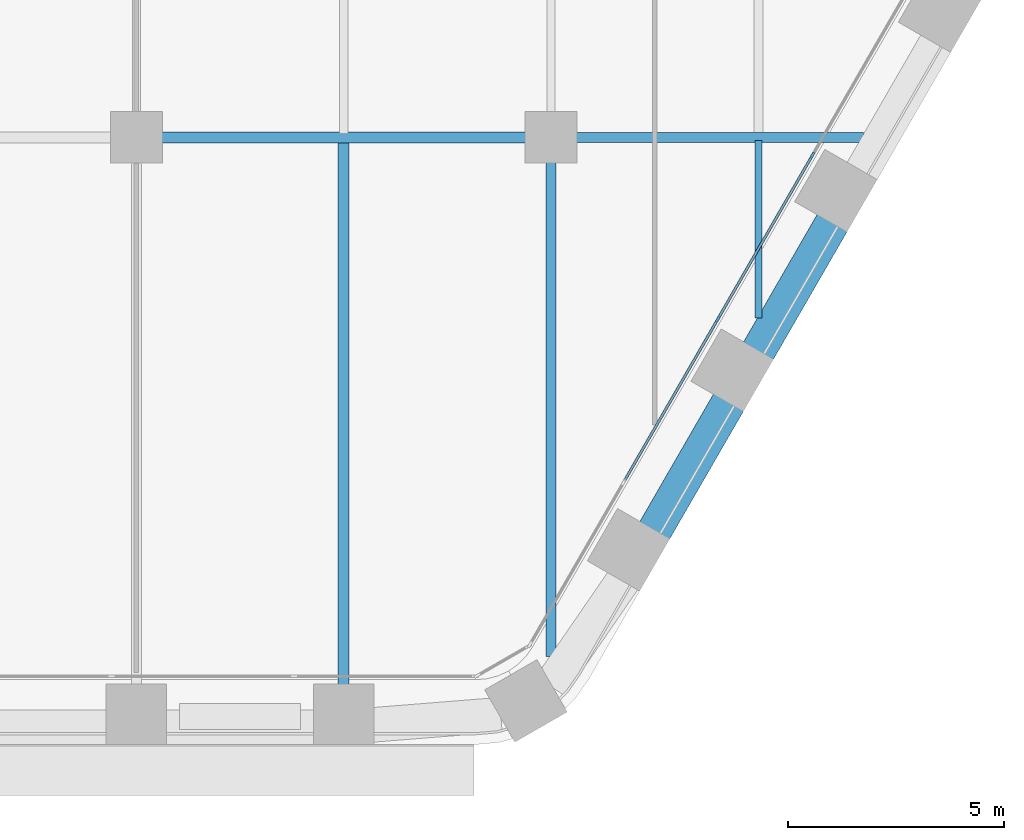
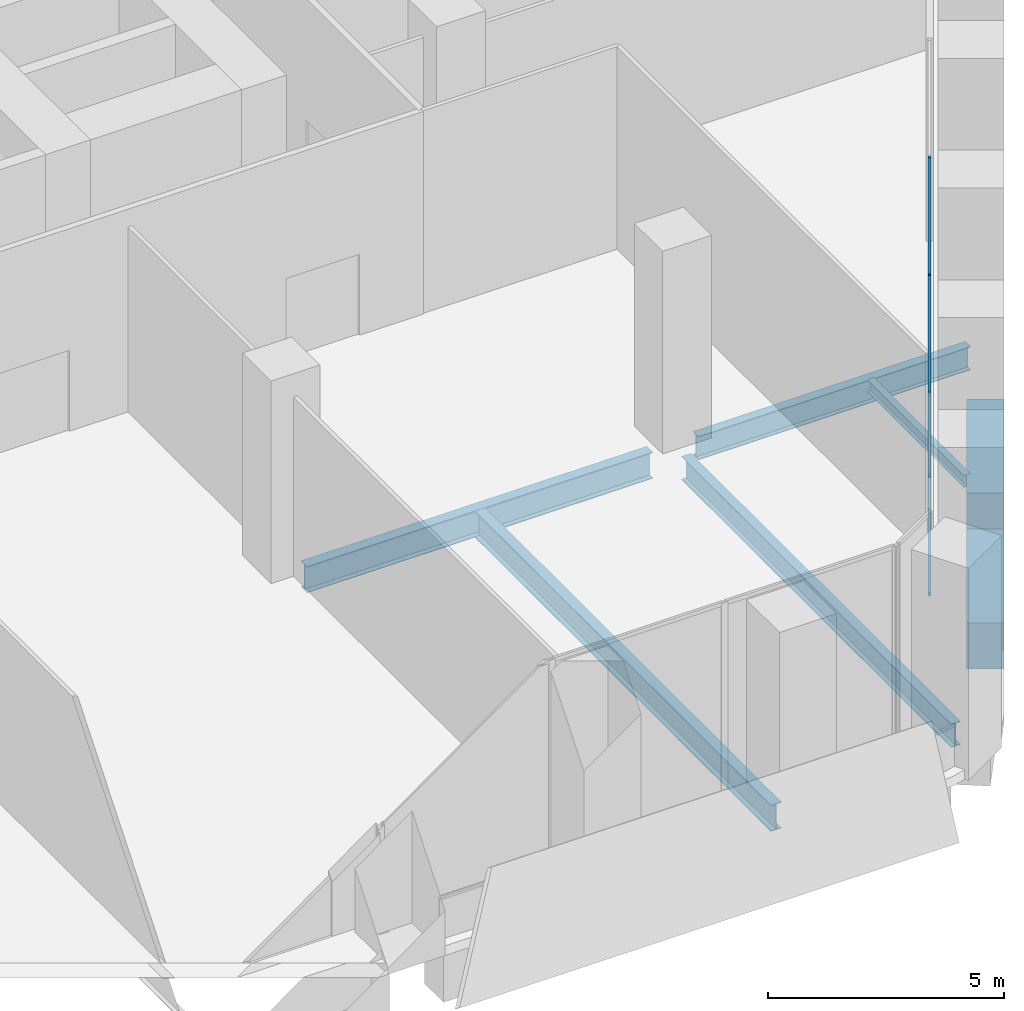
# One storey, part 5 of 27: 7 beams, 6 members, 1 element without a shape of its own.
"""IFC4 building model written with IfcOpenShell, lengths in metres."""

from ifc_helpers import new_model, si_unit, direction, frame, origin, origin_2d, place, context, subcontext, project, spatial, rectangle, i_section, extrude, material, material_profile, profile_set, type_object, element, aggregate, save


model = new_model("IFC4")

# Units and contexts
model_context = context("Model", 3, precision=1e-05, world=origin(), true_north=direction((0.0, 1.0)))
body_context = subcontext(model_context, "Body", "Model", "MODEL_VIEW")
ifc_project = project(units=[si_unit("LENGTHUNIT", "METRE"), si_unit("AREAUNIT", "SQUARE_METRE"), si_unit("VOLUMEUNIT", "CUBIC_METRE"), si_unit("PLANEANGLEUNIT", "RADIAN"), si_unit("MASSUNIT", "GRAM", prefix="KILO")], contexts=[model_context])

# Site, building, storey
site_placement = place(None, origin())
site = spatial("IfcSite", under=ifc_project, at=site_placement, CompositionType="ELEMENT")
building_placement = place(site_placement, origin())
building = spatial("IfcBuilding", under=site, at=building_placement, Name="Kolab Exchange Tower", CompositionType="ELEMENT")
storey_placement = place(building_placement, frame((0.0, 0.0, 22.39990234375)))
storey = spatial("IfcBuildingStorey", under=building, at=storey_placement, Name="L04", CompositionType="ELEMENT", Elevation=22.39990234375)

# Beams
ifc_material_1 = material(Name="Steel S355", Category="steel")
ifc_material_profile_1 = material_profile(ifc_material_1, i_section(OverallWidth=0.1650390625, OverallDepth=0.31005859375, WebThickness=0.005859375, FlangeThickness=0.009765625, at=origin_2d()), Name="W310X39")
ifc_profile_set_1 = profile_set([ifc_material_profile_1], Name="Steel S355")
beam_type_1 = type_object("IfcBeamType", Name="FLOOR BEAM W310X39", PredefinedType="BEAM", material=ifc_profile_set_1)
beam_1_placement = place(storey_placement, frame((24.0, -23.381591796875, -0.40478515625), z_axis=(0.0, 1.0, 0.0), x_axis=(-1.0, 0.0, 0.0)))
element("IfcBeam", 1, at=beam_1_placement, inside=storey, type_object=beam_type_1, Name="beam/L04/fr/052", PredefinedType="BEAM", context=body_context, shape_type="SweptSolid", body=[
    extrude(i_section(OverallWidth=0.1650390625, OverallDepth=0.31005859375, WebThickness=0.005859375, FlangeThickness=0.009765625, at=origin_2d()), origin(), (0.0, 0.0, 1.0), 4.107666015625),
])
ifc_material_profile_2 = material_profile(ifc_material_1, i_section(OverallWidth=0.22802734375, OverallDepth=0.60791015625, WebThickness=0.01123046875, FlangeThickness=0.017333984375, at=origin_2d()), Name="W610X113")
ifc_profile_set_2 = profile_set([ifc_material_profile_2], Name="Steel S355")
beam_type_2 = type_object("IfcBeamType", Name="FLOOR BEAM W610X113", PredefinedType="BEAM", material=ifc_profile_set_2)
beam_2_placement = place(storey_placement, frame((19.199951171875, -31.214599609375, -0.553955078125), z_axis=(0.0, 1.0, 0.0), x_axis=(-1.0, 0.0, 0.0)))
element("IfcBeam", 2, at=beam_2_placement, inside=storey, type_object=beam_type_2, Name="beam/L04/fr/046", PredefinedType="BEAM", context=body_context, shape_type="SweptSolid", body=[
    extrude(i_section(OverallWidth=0.22802734375, OverallDepth=0.60791015625, WebThickness=0.01123046875, FlangeThickness=0.017333984375, at=origin_2d()), origin(), (0.0, 0.0, 1.0), 11.45458984375),
])
ifc_material_profile_3 = material_profile(ifc_material_1, i_section(OverallWidth=0.25390625, OverallDepth=0.68408203125, WebThickness=0.012451171875, FlangeThickness=0.018798828125, at=origin_2d()), Name="W690X140")
ifc_profile_set_3 = profile_set([ifc_material_profile_3], Name="Steel S355")
beam_type_3 = type_object("IfcBeamType", Name="FLOOR BEAM W690X140", PredefinedType="BEAM", material=ifc_profile_set_3)
beam_3_placement = place(storey_placement, frame((14.39990234375, -31.8955078125, -0.591796875), z_axis=(0.0, 1.0, 0.0), x_axis=(-1.0, 0.0, 0.0)))
element("IfcBeam", 3, at=beam_3_placement, inside=storey, type_object=beam_type_3, Name="beam/L04/fr/042", PredefinedType="BEAM", context=body_context, shape_type="SweptSolid", body=[
    extrude(i_section(OverallWidth=0.25390625, OverallDepth=0.68408203125, WebThickness=0.012451171875, FlangeThickness=0.018798828125, at=origin_2d()), origin(), (0.0, 0.0, 1.0), 12.6083984375),
])
ifc_material_profile_4 = material_profile(ifc_material_1, i_section(OverallWidth=0.22802734375, OverallDepth=0.60791015625, WebThickness=0.01123046875, FlangeThickness=0.017333984375, at=origin_2d()), Name="W610X113")
ifc_profile_set_4 = profile_set([ifc_material_profile_4], Name="Steel S355")
beam_type_4 = type_object("IfcBeamType", Name="FLOOR GIRDER W610X113", PredefinedType="BEAM", material=ifc_profile_set_4)
beam_4_placement = place(storey_placement, frame((19.760009765625, -19.199951171875, -0.553955078125), z_axis=(1.0, 0.0, 0.0), x_axis=(0.0, 1.0, 0.0)))
element("IfcBeam", 4, at=beam_4_placement, inside=storey, type_object=beam_type_4, Name="beam/L04/gd/020", PredefinedType="BEAM", context=body_context, shape_type="SweptSolid", body=[
    extrude(i_section(OverallWidth=0.22802734375, OverallDepth=0.60791015625, WebThickness=0.01123046875, FlangeThickness=0.017333984375, at=origin_2d()), origin(), (0.0, 0.0, 1.0), 6.671142578125),
])
ifc_material_profile_5 = material_profile(ifc_material_1, i_section(OverallWidth=0.25390625, OverallDepth=0.68408203125, WebThickness=0.012451171875, FlangeThickness=0.018798828125, at=origin_2d()), Name="W690X140")
ifc_profile_set_5 = profile_set([ifc_material_profile_5], Name="Steel S355")
beam_type_5 = type_object("IfcBeamType", Name="FLOOR GIRDER W690X140", PredefinedType="BEAM", material=ifc_profile_set_5)
beam_5_placement = place(storey_placement, frame((10.159912109375, -19.199951171875, -0.591796875), z_axis=(1.0, 0.0, 0.0), x_axis=(0.0, 1.0, 0.0)))
element("IfcBeam", 5, at=beam_5_placement, inside=storey, type_object=beam_type_5, Name="beam/L04/gd/015", PredefinedType="BEAM", context=body_context, shape_type="SweptSolid", body=[
    extrude(i_section(OverallWidth=0.25390625, OverallDepth=0.68408203125, WebThickness=0.012451171875, FlangeThickness=0.018798828125, at=origin_2d()), origin(), (0.0, 0.0, 1.0), 8.47998046875),
])
ifc_material_2 = material(Name="Concrete C80/95", Category="concrete")
ifc_material_profile_6 = material_profile(ifc_material_2, rectangle(XDim=0.800048828125, YDim=1.199951171875, at=origin_2d()), Name="RC800X1200")
ifc_profile_set_6 = profile_set([ifc_material_profile_6], Name="Concrete C80/95")
beam_type_6 = type_object("IfcBeamType", Name="SPANDREL BEAM 800X1200 C80/95", PredefinedType="BEAM", material=ifc_profile_set_6)
beam_6_placement = place(storey_placement, frame((25.7236328125, -21.15625, -0.849853515625), z_axis=(-0.500009906705, -0.86601968407, 0.0), x_axis=(0.86601968407, -0.500009906705, 0.0)))
element("IfcBeam", 6, at=beam_6_placement, inside=storey, type_object=beam_type_6, Name="beam/L04/sp/F3-06", PredefinedType="BEAM", context=body_context, shape_type="SweptSolid", body=[
    extrude(rectangle(XDim=0.800048828125, YDim=1.199951171875, at=origin_2d()), origin(), (0.0, 0.0, 1.0), 3.47998046875),
])
beam_7_placement = place(storey_placement, frame((23.323486328125, -25.31298828125, -0.849853515625), z_axis=(-0.499979528911, -0.866037222451, 0.0), x_axis=(0.866037222451, -0.499979528911, 0.0)))
element("IfcBeam", 7, at=beam_7_placement, inside=storey, type_object=beam_type_6, Name="beam/L04/sp/F3-07", PredefinedType="BEAM", context=body_context, shape_type="SweptSolid", body=[
    extrude(rectangle(XDim=0.800048828125, YDim=1.199951171875, at=origin_2d()), origin(), (0.0, 0.0, 1.0), 3.480224609375),
])

# Curtain wall, members
ifc_material_3 = material(Name="Aluminium EN AW-6063 T6", Category="aluminium")
curtain_wall_type = type_object("IfcCurtainWallType", Name="UNITISED LOW ZONE CURTAIN WALL", PredefinedType="NOTDEFINED", material=ifc_material_3)
curtain_wall_placement = place(storey_placement, origin())
curtain_wall = element("IfcCurtainWall", 8, at=curtain_wall_placement, inside=storey, type_object=curtain_wall_type, Name="cw/L04/F3-2", PredefinedType="NOTDEFINED")
ifc_material_profile_7 = material_profile(ifc_material_3, rectangle(XDim=0.06005859375, YDim=0.159912109375, at=origin_2d()), Name="RECT 60X160")
ifc_profile_set_7 = profile_set([ifc_material_profile_7], Name="Aluminium EN AW-6063 T6")
member_type_1 = type_object("IfcMemberType", Name="UNITISED LOW ZONE MULLION 60 X 160", PredefinedType="MULLION", material=ifc_profile_set_7)
member_1_placement = place(storey_placement, frame((25.248291015625, -19.61962890625, 0.0), z_axis=(0.0, 0.0, 1.0), x_axis=(0.866025397318, -0.5000000112, 0.0)))
member_1 = element("IfcMember", 9, at=member_1_placement, type_object=member_type_1, Name="CW1 mullion 2", PredefinedType="MULLION", context=body_context, shape_type="SweptSolid", body=[
    extrude(rectangle(XDim=0.06005859375, YDim=0.159912109375, at=origin_2d()), origin(), (0.0, 0.0, 1.0), 5.25),
])
member_2_placement = place(storey_placement, frame((23.064697265625, -23.401611328125, 0.0), z_axis=(0.0, 0.0, 1.0), x_axis=(0.866025397318, -0.5000000112, 0.0)))
member_2 = element("IfcMember", 10, at=member_2_placement, type_object=member_type_1, Name="CW1 mullion 3", PredefinedType="MULLION", context=body_context, shape_type="SweptSolid", body=[
    extrude(rectangle(XDim=0.06005859375, YDim=0.159912109375, at=origin_2d()), origin(), (0.0, 0.0, 1.0), 5.25),
])
ifc_material_profile_8 = material_profile(ifc_material_3, rectangle(XDim=0.06005859375, YDim=0.10009765625, at=origin_2d()), Name="RECT 60X100")
ifc_profile_set_8 = profile_set([ifc_material_profile_8], Name="Aluminium EN AW-6063 T6")
member_type_2 = type_object("IfcMemberType", Name="UNITISED LOW ZONE TRANSOM 60 X 100", PredefinedType="USERDEFINED", material=ifc_profile_set_8)
member_3_placement = place(storey_placement, frame((25.233154296875, -19.6455078125, 0.030029296875), z_axis=(-0.500010313095, -0.866019449435, 0.0), x_axis=(0.866019449435, -0.500010313095, 0.0)))
member_3 = element("IfcMember", 11, at=member_3_placement, type_object=member_type_2, Name="CW1 transom 2.1", ObjectType="TRANSOM", PredefinedType="USERDEFINED", context=body_context, shape_type="SweptSolid", body=[
    extrude(rectangle(XDim=0.06005859375, YDim=0.10009765625, at=origin_2d()), origin(), (0.0, 0.0, 1.0), 4.30712890625),
])
member_4_placement = place(storey_placement, frame((25.233154296875, -19.6455078125, 5.22021484375), z_axis=(-0.500010313095, -0.866019449435, 0.0), x_axis=(0.866019449435, -0.500010313095, 0.0)))
member_4 = element("IfcMember", 12, at=member_4_placement, type_object=member_type_2, Name="CW1 transom 2.2", ObjectType="TRANSOM", PredefinedType="USERDEFINED", context=body_context, shape_type="SweptSolid", body=[
    extrude(rectangle(XDim=0.06005859375, YDim=0.10009765625, at=origin_2d()), origin(), (0.0, 0.0, 1.0), 4.30712890625),
])
member_5_placement = place(storey_placement, frame((23.0498046875, -23.427490234375, 0.030029296875), z_axis=(-0.500010313095, -0.866019449435, 0.0), x_axis=(0.866019449435, -0.500010313095, 0.0)))
member_5 = element("IfcMember", 13, at=member_5_placement, type_object=member_type_2, Name="CW1 transom 3.1", ObjectType="TRANSOM", PredefinedType="USERDEFINED", context=body_context, shape_type="SweptSolid", body=[
    extrude(rectangle(XDim=0.06005859375, YDim=0.10009765625, at=origin_2d()), origin(), (0.0, 0.0, 1.0), 4.30712890625),
])
member_6_placement = place(storey_placement, frame((23.0498046875, -23.427490234375, 5.22021484375), z_axis=(-0.500010313095, -0.866019449435, 0.0), x_axis=(0.866019449435, -0.500010313095, 0.0)))
member_6 = element("IfcMember", 14, at=member_6_placement, type_object=member_type_2, Name="CW1 transom 3.2", ObjectType="TRANSOM", PredefinedType="USERDEFINED", context=body_context, shape_type="SweptSolid", body=[
    extrude(rectangle(XDim=0.06005859375, YDim=0.10009765625, at=origin_2d()), origin(), (0.0, 0.0, 1.0), 4.30712890625),
])
aggregate(curtain_wall, [member_1, member_2, member_3, member_4, member_5, member_6])

save(model, "model.ifc")
